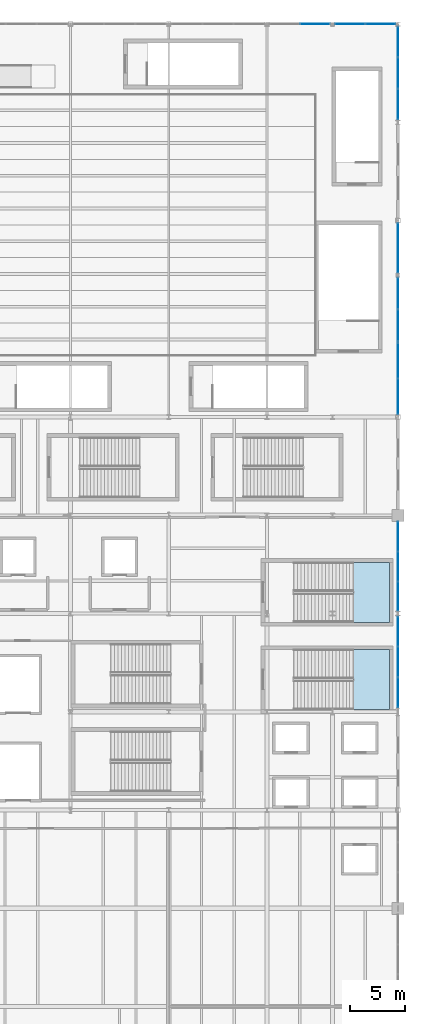
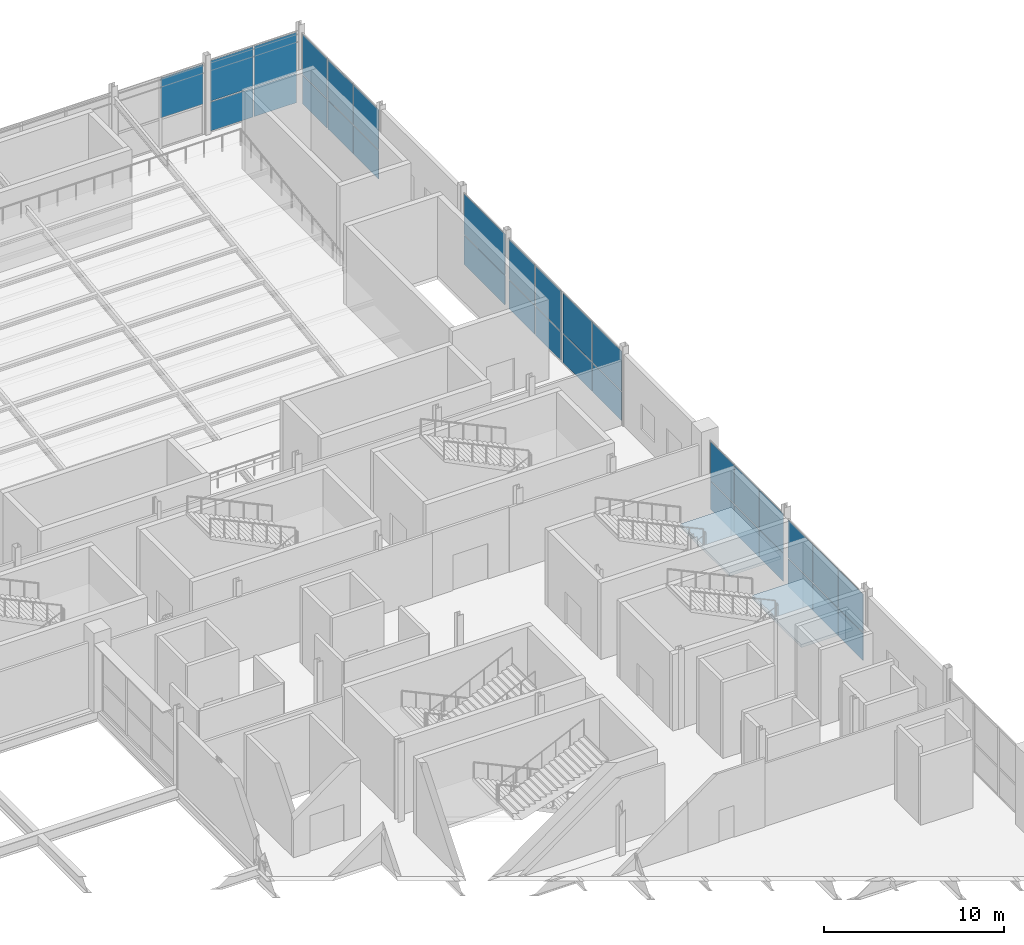
# One storey, part 81 of 119: 33 plates, 2 slabs, 10 elements without a shape of their own.
"""IFC4 building model written with IfcOpenShell, lengths in metres."""

from ifc_helpers import new_model, si_unit, direction, frame, origin, origin_2d, place, context, subcontext, project, spatial, polyline, rectangle, outline, extrude, material, layer, layer_set, type_object, element, aggregate, save


model = new_model("IFC4")

# Units and contexts
model_context = context("Model", 3, precision=1e-05, world=origin(), true_north=direction((0.0, 1.0)))
body_context = subcontext(model_context, "Body", "Model", "MODEL_VIEW")
ifc_project = project(units=[si_unit("LENGTHUNIT", "METRE"), si_unit("AREAUNIT", "SQUARE_METRE"), si_unit("VOLUMEUNIT", "CUBIC_METRE"), si_unit("PLANEANGLEUNIT", "RADIAN"), si_unit("MASSUNIT", "GRAM", prefix="KILO")], contexts=[model_context])

# Site, building, storey
site_placement = place(None, origin())
site = spatial("IfcSite", under=ifc_project, at=site_placement, CompositionType="ELEMENT")
building_placement = place(site_placement, origin())
building = spatial("IfcBuilding", under=site, at=building_placement, Name="Qamarlyn Nura Convention Centre", CompositionType="ELEMENT")
storey_placement = place(building_placement, frame((0.0, 0.0, 5.39990234375)))
storey = spatial("IfcBuildingStorey", under=building, at=storey_placement, Name="L01", CompositionType="ELEMENT", Elevation=5.39990234375)

# Curtain wall, plates
ifc_material_1 = material(Name="Double-silver low-E insulated glass", Category="glass")
ifc_layer_1 = layer(ifc_material_1, 0.179931640625, Name="CW-UNIT-71")
ifc_layer_set_1 = layer_set([ifc_layer_1], Name="Double-silver low-E insulated glass")
curtain_wall_type_1 = type_object("IfcCurtainWallType", Name="CW-UNIT-71", PredefinedType="NOTDEFINED", material=ifc_layer_set_1)
curtain_wall_1_placement = place(storey_placement, origin())
curtain_wall_1 = element("IfcCurtainWall", 1, at=curtain_wall_1_placement, inside=storey, type_object=curtain_wall_type_1, Name="L01 unitised curtain wall EAST-9-1", PredefinedType="NOTDEFINED")
ifc_layer_2 = layer(ifc_material_1, 0.028076171875, Name="CWP-VIS-28")
ifc_layer_set_2 = layer_set([ifc_layer_2], Name="Double-silver low-E insulated glass")
plate_type_1 = type_object("IfcPlateType", Name="CWP-VIS-28", PredefinedType="CURTAIN_PANEL", material=ifc_layer_set_2)
plate_1_placement = place(storey_placement, frame((192.0, 79.06201171875, 0.06005859375), z_axis=(0.0, 0.0, 1.0), x_axis=(0.0, -1.0, 0.0)))
plate_1 = element("IfcPlate", 2, at=plate_1_placement, type_object=plate_type_1, Name="CW71 panel 1.1", PredefinedType="CURTAIN_PANEL", context=body_context, shape_type="SweptSolid", body=[
    extrude(rectangle(XDim=2.65576171875, YDim=0.028076171875, at=origin_2d()), origin(), (0.0, 0.0, 1.0), 1.884033203125),
])
plate_2_placement = place(storey_placement, frame((192.0, 79.06201171875, 2.00390625), z_axis=(0.0, 0.0, 1.0), x_axis=(0.0, -1.0, 0.0)))
plate_2 = element("IfcPlate", 3, at=plate_2_placement, type_object=plate_type_1, Name="CW71 panel 1.2", PredefinedType="CURTAIN_PANEL", context=body_context, shape_type="SweptSolid", body=[
    extrude(rectangle(XDim=2.65576171875, YDim=0.028076171875, at=origin_2d()), origin(), (0.0, 0.0, 1.0), 2.635009765625),
])
plate_3_placement = place(storey_placement, frame((192.0, 76.331298828125, 0.06005859375), z_axis=(0.0, 0.0, 1.0), x_axis=(0.0, -1.0, 0.0)))
plate_3 = element("IfcPlate", 4, at=plate_3_placement, type_object=plate_type_1, Name="CW71 panel 2.1", PredefinedType="CURTAIN_PANEL", context=body_context, shape_type="SweptSolid", body=[
    extrude(rectangle(XDim=2.685791015625, YDim=0.028076171875, at=origin_2d()), origin(), (0.0, 0.0, 1.0), 1.884033203125),
])
plate_4_placement = place(storey_placement, frame((192.0, 76.331298828125, 2.00390625), z_axis=(0.0, 0.0, 1.0), x_axis=(0.0, -1.0, 0.0)))
plate_4 = element("IfcPlate", 5, at=plate_4_placement, type_object=plate_type_1, Name="CW71 panel 2.2", PredefinedType="CURTAIN_PANEL", context=body_context, shape_type="SweptSolid", body=[
    extrude(rectangle(XDim=2.685791015625, YDim=0.028076171875, at=origin_2d()), origin(), (0.0, 0.0, 1.0), 2.635009765625),
])
plate_5_placement = place(storey_placement, frame((192.0, 73.600341796875, 0.06005859375), z_axis=(0.0, 0.0, 1.0), x_axis=(0.0, -1.0, 0.0)))
plate_5 = element("IfcPlate", 6, at=plate_5_placement, type_object=plate_type_1, Name="CW71 panel 3.1", PredefinedType="CURTAIN_PANEL", context=body_context, shape_type="SweptSolid", body=[
    extrude(rectangle(XDim=2.65576171875, YDim=0.028076171875, at=origin_2d()), origin(), (0.0, 0.0, 1.0), 1.884033203125),
])
plate_6_placement = place(storey_placement, frame((192.0, 73.600341796875, 2.00390625), z_axis=(0.0, 0.0, 1.0), x_axis=(0.0, -1.0, 0.0)))
plate_6 = element("IfcPlate", 7, at=plate_6_placement, type_object=plate_type_1, Name="CW71 panel 3.2", PredefinedType="CURTAIN_PANEL", context=body_context, shape_type="SweptSolid", body=[
    extrude(rectangle(XDim=2.65576171875, YDim=0.028076171875, at=origin_2d()), origin(), (0.0, 0.0, 1.0), 2.635009765625),
])
aggregate(curtain_wall_1, [plate_1, plate_2, plate_3, plate_4, plate_5, plate_6])

ifc_layer_3 = layer(ifc_material_1, 0.179931640625, Name="CW-UNIT-72")
ifc_layer_set_3 = layer_set([ifc_layer_3], Name="Double-silver low-E insulated glass")
curtain_wall_type_2 = type_object("IfcCurtainWallType", Name="CW-UNIT-72", PredefinedType="NOTDEFINED", material=ifc_layer_set_3)
curtain_wall_2_placement = place(storey_placement, origin())
curtain_wall_2 = element("IfcCurtainWall", 8, at=curtain_wall_2_placement, inside=storey, type_object=curtain_wall_type_2, Name="L01 unitised curtain wall EAST-11-1A", PredefinedType="NOTDEFINED")
plate_7_placement = place(storey_placement, frame((192.0, 101.333984375, 0.0703125), z_axis=(0.0, 0.0, 1.0), x_axis=(0.0, -1.0, 0.0)))
plate_7 = element("IfcPlate", 9, at=plate_7_placement, type_object=plate_type_1, Name="CW72 panel 1.1", PredefinedType="CURTAIN_PANEL", context=body_context, shape_type="SweptSolid", body=[
    extrude(rectangle(XDim=2.841796875, YDim=0.028076171875, at=origin_2d()), origin(), (0.0, 0.0, 1.0), 1.929931640625),
])
plate_8_placement = place(storey_placement, frame((192.0, 101.333984375, 2.070068359375), z_axis=(0.0, 0.0, 1.0), x_axis=(0.0, -1.0, 0.0)))
plate_8 = element("IfcPlate", 10, at=plate_8_placement, type_object=plate_type_1, Name="CW72 panel 1.2", PredefinedType="CURTAIN_PANEL", context=body_context, shape_type="SweptSolid", body=[
    extrude(rectangle(XDim=2.841796875, YDim=0.028076171875, at=origin_2d()), origin(), (0.0, 0.0, 1.0), 2.7060546875),
])
plate_9_placement = place(storey_placement, frame((192.0, 98.422119140625, 0.0703125), z_axis=(0.0, 0.0, 1.0), x_axis=(0.0, -1.0, 0.0)))
plate_9 = element("IfcPlate", 11, at=plate_9_placement, type_object=plate_type_1, Name="CW72 panel 2.1", PredefinedType="CURTAIN_PANEL", context=body_context, shape_type="SweptSolid", body=[
    extrude(rectangle(XDim=2.841796875, YDim=0.028076171875, at=origin_2d()), origin(), (0.0, 0.0, 1.0), 1.929931640625),
])
plate_10_placement = place(storey_placement, frame((192.0, 98.422119140625, 2.070068359375), z_axis=(0.0, 0.0, 1.0), x_axis=(0.0, -1.0, 0.0)))
plate_10 = element("IfcPlate", 12, at=plate_10_placement, type_object=plate_type_1, Name="CW72 panel 2.2", PredefinedType="CURTAIN_PANEL", context=body_context, shape_type="SweptSolid", body=[
    extrude(rectangle(XDim=2.841796875, YDim=0.028076171875, at=origin_2d()), origin(), (0.0, 0.0, 1.0), 2.7060546875),
])
aggregate(curtain_wall_2, [plate_7, plate_8, plate_9, plate_10])

ifc_layer_4 = layer(ifc_material_1, 0.179931640625, Name="CW-UNIT-73")
ifc_layer_set_4 = layer_set([ifc_layer_4], Name="Double-silver low-E insulated glass")
curtain_wall_type_3 = type_object("IfcCurtainWallType", Name="CW-UNIT-73", PredefinedType="NOTDEFINED", material=ifc_layer_set_4)
curtain_wall_3_placement = place(storey_placement, origin())
curtain_wall_3 = element("IfcCurtainWall", 13, at=curtain_wall_3_placement, inside=storey, type_object=curtain_wall_type_3, Name="L01 unitised curtain wall EAST-11-1B", PredefinedType="NOTDEFINED")
plate_11_placement = place(storey_placement, frame((192.0, 95.172119140625, 0.065185546875), z_axis=(0.0, 0.0, 1.0), x_axis=(0.0, -1.0, 0.0)))
plate_11 = element("IfcPlate", 14, at=plate_11_placement, type_object=plate_type_1, Name="CW73 panel 1.1", PredefinedType="CURTAIN_PANEL", context=body_context, shape_type="SweptSolid", body=[
    extrude(rectangle(XDim=3.228271484375, YDim=0.028076171875, at=origin_2d()), origin(), (0.0, 0.0, 1.0), 1.9375),
])
plate_12_placement = place(storey_placement, frame((192.0, 95.172119140625, 2.067626953125), z_axis=(0.0, 0.0, 1.0), x_axis=(0.0, -1.0, 0.0)))
plate_12 = element("IfcPlate", 15, at=plate_12_placement, type_object=plate_type_1, Name="CW73 panel 1.2", PredefinedType="CURTAIN_PANEL", context=body_context, shape_type="SweptSolid", body=[
    extrude(rectangle(XDim=3.228271484375, YDim=0.028076171875, at=origin_2d()), origin(), (0.0, 0.0, 1.0), 2.71337890625),
])
plate_13_placement = place(storey_placement, frame((192.0, 91.879150390625, 0.065185546875), z_axis=(0.0, 0.0, 1.0), x_axis=(0.0, -1.0, 0.0)))
plate_13 = element("IfcPlate", 16, at=plate_13_placement, type_object=plate_type_1, Name="CW73 panel 2.1", PredefinedType="CURTAIN_PANEL", context=body_context, shape_type="SweptSolid", body=[
    extrude(rectangle(XDim=3.228271484375, YDim=0.028076171875, at=origin_2d()), origin(), (0.0, 0.0, 1.0), 1.9375),
])
plate_14_placement = place(storey_placement, frame((192.0, 91.879150390625, 2.067626953125), z_axis=(0.0, 0.0, 1.0), x_axis=(0.0, -1.0, 0.0)))
plate_14 = element("IfcPlate", 17, at=plate_14_placement, type_object=plate_type_1, Name="CW73 panel 2.2", PredefinedType="CURTAIN_PANEL", context=body_context, shape_type="SweptSolid", body=[
    extrude(rectangle(XDim=3.228271484375, YDim=0.028076171875, at=origin_2d()), origin(), (0.0, 0.0, 1.0), 2.71337890625),
])
aggregate(curtain_wall_3, [plate_11, plate_12, plate_13, plate_14])

ifc_layer_5 = layer(ifc_material_1, 0.179931640625, Name="CW-UNIT-75")
ifc_layer_set_5 = layer_set([ifc_layer_5], Name="Double-silver low-E insulated glass")
curtain_wall_type_4 = type_object("IfcCurtainWallType", Name="CW-UNIT-75", PredefinedType="NOTDEFINED", material=ifc_layer_set_5)
curtain_wall_4_placement = place(storey_placement, origin())
curtain_wall_4 = element("IfcCurtainWall", 18, at=curtain_wall_4_placement, inside=storey, type_object=curtain_wall_type_4, Name="L01 unitised curtain wall EAST-14-1", PredefinedType="NOTDEFINED")
plate_15_placement = place(storey_placement, frame((192.0, 124.3603515625, 0.0703125), z_axis=(0.0, 0.0, 1.0), x_axis=(0.0, -1.0, 0.0)))
plate_15 = element("IfcPlate", 19, at=plate_15_placement, type_object=plate_type_1, Name="CW75 panel 1.1", PredefinedType="CURTAIN_PANEL", context=body_context, shape_type="SweptSolid", body=[
    extrude(rectangle(XDim=2.767578125, YDim=0.028076171875, at=origin_2d()), origin(), (0.0, 0.0, 1.0), 1.929931640625),
])
plate_16_placement = place(storey_placement, frame((192.0, 124.3603515625, 2.070068359375), z_axis=(0.0, 0.0, 1.0), x_axis=(0.0, -1.0, 0.0)))
plate_16 = element("IfcPlate", 20, at=plate_16_placement, type_object=plate_type_1, Name="CW75 panel 1.2", PredefinedType="CURTAIN_PANEL", context=body_context, shape_type="SweptSolid", body=[
    extrude(rectangle(XDim=2.767578125, YDim=0.028076171875, at=origin_2d()), origin(), (0.0, 0.0, 1.0), 2.7060546875),
])
plate_17_placement = place(storey_placement, frame((192.0, 121.50537109375, 0.0703125), z_axis=(0.0, 0.0, 1.0), x_axis=(0.0, -1.0, 0.0)))
plate_17 = element("IfcPlate", 21, at=plate_17_placement, type_object=plate_type_1, Name="CW75 panel 2.1", PredefinedType="CURTAIN_PANEL", context=body_context, shape_type="SweptSolid", body=[
    extrude(rectangle(XDim=2.802490234375, YDim=0.028076171875, at=origin_2d()), origin(), (0.0, 0.0, 1.0), 1.929931640625),
])
plate_18_placement = place(storey_placement, frame((192.0, 121.50537109375, 2.070068359375), z_axis=(0.0, 0.0, 1.0), x_axis=(0.0, -1.0, 0.0)))
plate_18 = element("IfcPlate", 22, at=plate_18_placement, type_object=plate_type_1, Name="CW75 panel 2.2", PredefinedType="CURTAIN_PANEL", context=body_context, shape_type="SweptSolid", body=[
    extrude(rectangle(XDim=2.802490234375, YDim=0.028076171875, at=origin_2d()), origin(), (0.0, 0.0, 1.0), 2.7060546875),
])
plate_19_placement = place(storey_placement, frame((192.0, 118.650146484375, 0.0703125), z_axis=(0.0, 0.0, 1.0), x_axis=(0.0, -1.0, 0.0)))
plate_19 = element("IfcPlate", 23, at=plate_19_placement, type_object=plate_type_1, Name="CW75 panel 3.1", PredefinedType="CURTAIN_PANEL", context=body_context, shape_type="SweptSolid", body=[
    extrude(rectangle(XDim=2.767578125, YDim=0.028076171875, at=origin_2d()), origin(), (0.0, 0.0, 1.0), 1.929931640625),
])
plate_20_placement = place(storey_placement, frame((192.0, 118.650146484375, 2.070068359375), z_axis=(0.0, 0.0, 1.0), x_axis=(0.0, -1.0, 0.0)))
plate_20 = element("IfcPlate", 24, at=plate_20_placement, type_object=plate_type_1, Name="CW75 panel 3.2", PredefinedType="CURTAIN_PANEL", context=body_context, shape_type="SweptSolid", body=[
    extrude(rectangle(XDim=2.767578125, YDim=0.028076171875, at=origin_2d()), origin(), (0.0, 0.0, 1.0), 2.7060546875),
])
aggregate(curtain_wall_4, [plate_15, plate_16, plate_17, plate_18, plate_19, plate_20])

# Curtain wall, plate
ifc_layer_6 = layer(ifc_material_1, 0.179931640625, Name="CW-UNIT-90")
ifc_layer_set_6 = layer_set([ifc_layer_6], Name="Double-silver low-E insulated glass")
curtain_wall_type_5 = type_object("IfcCurtainWallType", Name="CW-UNIT-90", PredefinedType="NOTDEFINED", material=ifc_layer_set_6)
curtain_wall_5_placement = place(storey_placement, origin())
curtain_wall_5 = element("IfcCurtainWall", 25, at=curtain_wall_5_placement, inside=storey, type_object=curtain_wall_type_5, Name="L01 unitised curtain wall PLN-N5-1", PredefinedType="NOTDEFINED")
plate_21_placement = place(storey_placement, frame((184.39794921875, 126.0, 2.070068359375), z_axis=(0.0, 0.0, 1.0), x_axis=(1.0, 0.0, 0.0)))
plate_21 = element("IfcPlate", 26, at=plate_21_placement, type_object=plate_type_1, Name="CW90 panel 2.2", PredefinedType="CURTAIN_PANEL", context=body_context, shape_type="SweptSolid", body=[
    extrude(rectangle(XDim=2.714111328125, YDim=0.028076171875, at=origin_2d()), origin(), (0.0, 0.0, 1.0), 2.7060546875),
])
aggregate(curtain_wall_5, [plate_21])

# Curtain wall, plates
ifc_layer_7 = layer(ifc_material_1, 0.179931640625, Name="CW-UNIT-70")
ifc_layer_set_7 = layer_set([ifc_layer_7], Name="Double-silver low-E insulated glass")
curtain_wall_type_6 = type_object("IfcCurtainWallType", Name="CW-UNIT-70", PredefinedType="NOTDEFINED", material=ifc_layer_set_7)
curtain_wall_6_placement = place(storey_placement, origin())
curtain_wall_6 = element("IfcCurtainWall", 27, at=curtain_wall_6_placement, inside=storey, type_object=curtain_wall_type_6, Name="L01 unitised curtain wall EAST-8-1", PredefinedType="NOTDEFINED")
ifc_layer_8 = layer(ifc_material_1, 0.031982421875, Name="CWP-VIS-32")
ifc_layer_set_8 = layer_set([ifc_layer_8], Name="Double-silver low-E insulated glass")
plate_type_2 = type_object("IfcPlateType", Name="CWP-VIS-32", PredefinedType="CURTAIN_PANEL", material=ifc_layer_set_8)
plate_22_placement = place(storey_placement, frame((192.0, 70.364501953125, 0.06494140625), z_axis=(0.0, 0.0, 1.0), x_axis=(0.0, -1.0, 0.0)))
plate_22 = element("IfcPlate", 28, at=plate_22_placement, type_object=plate_type_2, Name="CW70 panel 1.1", PredefinedType="CURTAIN_PANEL", context=body_context, shape_type="SweptSolid", body=[
    extrude(rectangle(XDim=2.7158203125, YDim=0.031982421875, at=origin_2d()), origin(), (0.0, 0.0, 1.0), 1.845458984375),
])
plate_23_placement = place(storey_placement, frame((192.0, 70.364501953125, 1.9755859375), z_axis=(0.0, 0.0, 1.0), x_axis=(0.0, -1.0, 0.0)))
plate_23 = element("IfcPlate", 29, at=plate_23_placement, type_object=plate_type_2, Name="CW70 panel 1.2", PredefinedType="CURTAIN_PANEL", context=body_context, shape_type="SweptSolid", body=[
    extrude(rectangle(XDim=2.7158203125, YDim=0.031982421875, at=origin_2d()), origin(), (0.0, 0.0, 1.0), 2.58544921875),
])
plate_24_placement = place(storey_placement, frame((192.0, 67.5673828125, 0.06494140625), z_axis=(0.0, 0.0, 1.0), x_axis=(0.0, -1.0, 0.0)))
plate_24 = element("IfcPlate", 30, at=plate_24_placement, type_object=plate_type_2, Name="CW70 panel 2.1", PredefinedType="CURTAIN_PANEL", context=body_context, shape_type="SweptSolid", body=[
    extrude(rectangle(XDim=2.748291015625, YDim=0.031982421875, at=origin_2d()), origin(), (0.0, 0.0, 1.0), 1.845458984375),
])
plate_25_placement = place(storey_placement, frame((192.0, 67.5673828125, 1.9755859375), z_axis=(0.0, 0.0, 1.0), x_axis=(0.0, -1.0, 0.0)))
plate_25 = element("IfcPlate", 31, at=plate_25_placement, type_object=plate_type_2, Name="CW70 panel 2.2", PredefinedType="CURTAIN_PANEL", context=body_context, shape_type="SweptSolid", body=[
    extrude(rectangle(XDim=2.748291015625, YDim=0.031982421875, at=origin_2d()), origin(), (0.0, 0.0, 1.0), 2.58544921875),
])
plate_26_placement = place(storey_placement, frame((192.0, 64.7705078125, 0.06494140625), z_axis=(0.0, 0.0, 1.0), x_axis=(0.0, -1.0, 0.0)))
plate_26 = element("IfcPlate", 32, at=plate_26_placement, type_object=plate_type_2, Name="CW70 panel 3.1", PredefinedType="CURTAIN_PANEL", context=body_context, shape_type="SweptSolid", body=[
    extrude(rectangle(XDim=2.7158203125, YDim=0.031982421875, at=origin_2d()), origin(), (0.0, 0.0, 1.0), 1.845458984375),
])
plate_27_placement = place(storey_placement, frame((192.0, 64.7705078125, 1.9755859375), z_axis=(0.0, 0.0, 1.0), x_axis=(0.0, -1.0, 0.0)))
plate_27 = element("IfcPlate", 33, at=plate_27_placement, type_object=plate_type_2, Name="CW70 panel 3.2", PredefinedType="CURTAIN_PANEL", context=body_context, shape_type="SweptSolid", body=[
    extrude(rectangle(XDim=2.7158203125, YDim=0.031982421875, at=origin_2d()), origin(), (0.0, 0.0, 1.0), 2.58544921875),
])
aggregate(curtain_wall_6, [plate_22, plate_23, plate_24, plate_25, plate_26, plate_27])

ifc_layer_9 = layer(ifc_material_1, 0.179931640625, Name="CW-UNIT-74")
ifc_layer_set_9 = layer_set([ifc_layer_9], Name="Double-silver low-E insulated glass")
curtain_wall_type_7 = type_object("IfcCurtainWallType", Name="CW-UNIT-74", PredefinedType="NOTDEFINED", material=ifc_layer_set_9)
curtain_wall_7_placement = place(storey_placement, origin())
curtain_wall_7 = element("IfcCurtainWall", 34, at=curtain_wall_7_placement, inside=storey, type_object=curtain_wall_type_7, Name="L01 unitised curtain wall EAST-12-1", PredefinedType="NOTDEFINED")
plate_28_placement = place(storey_placement, frame((192.0, 105.487548828125, 0.06005859375), z_axis=(0.0, 0.0, 1.0), x_axis=(0.0, -1.0, 0.0)))
plate_28 = element("IfcPlate", 35, at=plate_28_placement, type_object=plate_type_2, Name="CW74 panel 1.1", PredefinedType="CURTAIN_PANEL", context=body_context, shape_type="SweptSolid", body=[
    extrude(rectangle(XDim=4.5048828125, YDim=0.031982421875, at=origin_2d()), origin(), (0.0, 0.0, 1.0), 1.971923828125),
])
plate_29_placement = place(storey_placement, frame((192.0, 105.487548828125, 2.09228515625), z_axis=(0.0, 0.0, 1.0), x_axis=(0.0, -1.0, 0.0)))
plate_29 = element("IfcPlate", 36, at=plate_29_placement, type_object=plate_type_2, Name="CW74 panel 1.2", PredefinedType="CURTAIN_PANEL", context=body_context, shape_type="SweptSolid", body=[
    extrude(rectangle(XDim=4.5048828125, YDim=0.031982421875, at=origin_2d()), origin(), (0.0, 0.0, 1.0), 2.758056640625),
])
aggregate(curtain_wall_7, [plate_28, plate_29])

ifc_layer_10 = layer(ifc_material_1, 0.179931640625, Name="CW-UNIT-91")
ifc_layer_set_10 = layer_set([ifc_layer_10], Name="Double-silver low-E insulated glass")
curtain_wall_type_8 = type_object("IfcCurtainWallType", Name="CW-UNIT-91", PredefinedType="NOTDEFINED", material=ifc_layer_set_10)
curtain_wall_8_placement = place(storey_placement, origin())
curtain_wall_8 = element("IfcCurtainWall", 37, at=curtain_wall_8_placement, inside=storey, type_object=curtain_wall_type_8, Name="L01 unitised curtain wall PLN-N6-1", PredefinedType="NOTDEFINED")
plate_30_placement = place(storey_placement, frame((187.600830078125, 126.0, 0.06494140625), z_axis=(0.0, 0.0, 1.0), x_axis=(1.0, 0.0, 0.0)))
plate_30 = element("IfcPlate", 38, at=plate_30_placement, type_object=plate_type_2, Name="CW91 panel 1.1", PredefinedType="CURTAIN_PANEL", context=body_context, shape_type="SweptSolid", body=[
    extrude(rectangle(XDim=2.721435546875, YDim=0.031982421875, at=origin_2d()), origin(), (0.0, 0.0, 1.0), 1.964599609375),
])
plate_31_placement = place(storey_placement, frame((187.600830078125, 126.0, 2.094482421875), z_axis=(0.0, 0.0, 1.0), x_axis=(1.0, 0.0, 0.0)))
plate_31 = element("IfcPlate", 39, at=plate_31_placement, type_object=plate_type_2, Name="CW91 panel 1.2", PredefinedType="CURTAIN_PANEL", context=body_context, shape_type="SweptSolid", body=[
    extrude(rectangle(XDim=2.721435546875, YDim=0.031982421875, at=origin_2d()), origin(), (0.0, 0.0, 1.0), 2.75048828125),
])
plate_32_placement = place(storey_placement, frame((190.38720703125, 126.0, 0.06494140625), z_axis=(0.0, 0.0, 1.0), x_axis=(1.0, 0.0, 0.0)))
plate_32 = element("IfcPlate", 40, at=plate_32_placement, type_object=plate_type_2, Name="CW91 panel 2.1", PredefinedType="CURTAIN_PANEL", context=body_context, shape_type="SweptSolid", body=[
    extrude(rectangle(XDim=2.721435546875, YDim=0.031982421875, at=origin_2d()), origin(), (0.0, 0.0, 1.0), 1.964599609375),
])
plate_33_placement = place(storey_placement, frame((190.38720703125, 126.0, 2.094482421875), z_axis=(0.0, 0.0, 1.0), x_axis=(1.0, 0.0, 0.0)))
plate_33 = element("IfcPlate", 41, at=plate_33_placement, type_object=plate_type_2, Name="CW91 panel 2.2", PredefinedType="CURTAIN_PANEL", context=body_context, shape_type="SweptSolid", body=[
    extrude(rectangle(XDim=2.721435546875, YDim=0.031982421875, at=origin_2d()), origin(), (0.0, 0.0, 1.0), 2.75048828125),
])
aggregate(curtain_wall_8, [plate_30, plate_31, plate_32, plate_33])

# Stair, slab
ifc_material_2 = material(Name="Concrete C40/50", Category="concrete")
stair_type = type_object("IfcStairType", Name="STAIR-EXIT-54", PredefinedType="HALF_TURN_STAIR", material=ifc_material_2)
stair_1_placement = place(storey_placement, origin())
stair_1 = element("IfcStair", 42, at=stair_1_placement, inside=storey, type_object=stair_type, Name="L01 Enclosed exit stair ST-13", PredefinedType="HALF_TURN_STAIR")
ifc_layer_11 = layer(ifc_material_2, 0.199951171875, Name="SL-LAND-200")
ifc_layer_set_11 = layer_set([ifc_layer_11], Name="Concrete C40/50")
slab_type = type_object("IfcSlabType", Name="SL-LAND-200", PredefinedType="LANDING", material=ifc_layer_set_11)
slab_1_placement = place(storey_placement, frame((0.0, 0.0, 2.5)))
slab_1 = element("IfcSlab", 43, at=slab_1_placement, type_object=slab_type, Name="ST-13 landing 1", PredefinedType="LANDING", context=body_context, shape_type="SweptSolid", body=[
    extrude(outline(polyline([(187.89990234375, 63.199951171875), (191.199951171875, 63.199951171875), (191.199951171875, 68.699951171875), (187.89990234375, 68.699951171875), (187.89990234375, 63.199951171875)])), origin(), (0.0, 0.0, 1.0), 0.2001953125),
])
aggregate(stair_1, [slab_1])

stair_2_placement = place(storey_placement, origin())
stair_2 = element("IfcStair", 44, at=stair_2_placement, inside=storey, type_object=stair_type, Name="L01 Enclosed exit stair ST-14", PredefinedType="HALF_TURN_STAIR")
slab_2_placement = place(storey_placement, frame((0.0, 0.0, 2.5)))
slab_2 = element("IfcSlab", 45, at=slab_2_placement, type_object=slab_type, Name="ST-14 landing 1", PredefinedType="LANDING", context=body_context, shape_type="SweptSolid", body=[
    extrude(outline(polyline([(187.89990234375, 71.199951171875), (191.199951171875, 71.199951171875), (191.199951171875, 76.699951171875), (187.89990234375, 76.699951171875), (187.89990234375, 71.199951171875)])), origin(), (0.0, 0.0, 1.0), 0.2001953125),
])
aggregate(stair_2, [slab_2])

save(model, "model.ifc")
